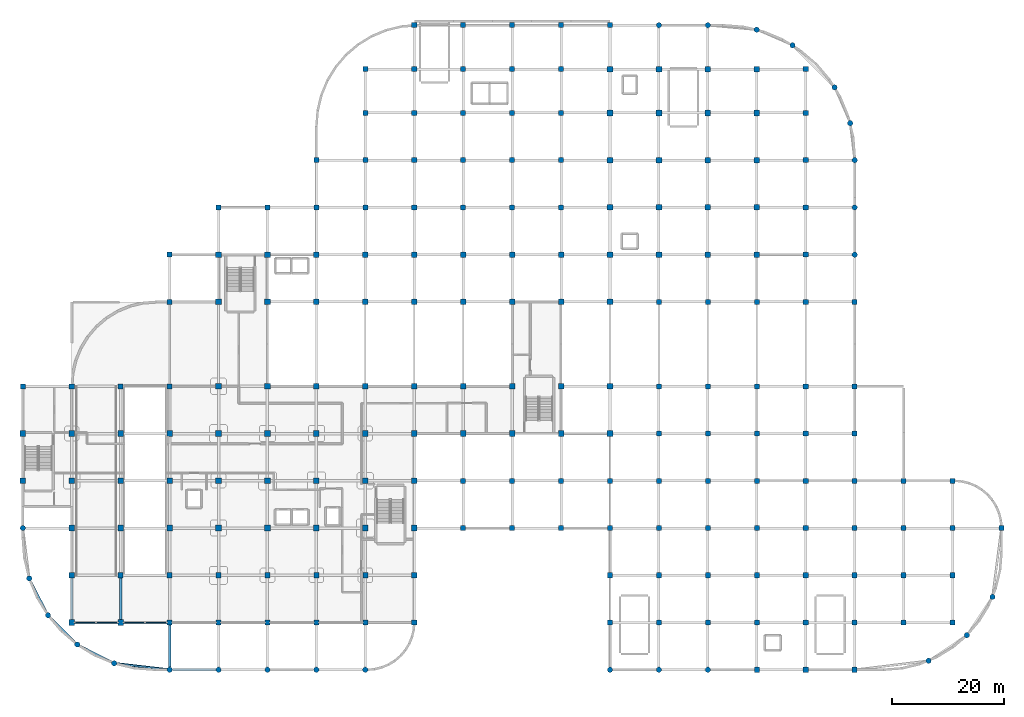
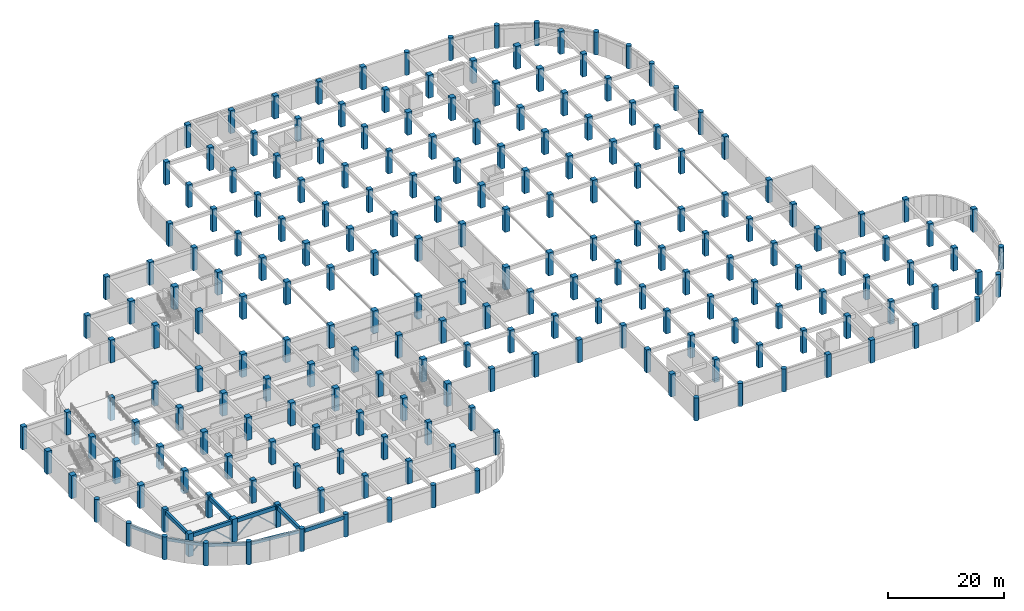
# One storey, part 1 of 19: 214 columns, 10 beams, 4 members.
"""IFC4 building model written with IfcOpenShell, lengths in metres."""

import ifcopenshell
import ifcopenshell.guid

model = None  # the IFC model being written
_history = None  # IfcOwnerHistory: only IFC2X3 demands one
_inside = {}  # id of a spatial element -> (the spatial element, [elements in it])
_under = {}  # id of a project, library or spatial element -> (it, [spatial elements below it])
_declared = {}  # id of a project -> (the project, [libraries it declares])
_typed = {}  # id of a type object -> (the type object, [elements of that type])
_made_of = {}  # id of a material, layer set ... -> (it, [elements and type objects made of it])


def new_model(schema):
    """Start an empty IFC model of exactly this schema.

    Asked for "IFC4X3", IfcOpenShell would pick the latest addendum, in which some entities
    have other attributes; the version numbers below select the first issue.
    IFC2X3 requires an IfcOwnerHistory on every rooted entity: one is made here for all.
    """
    global model, _history
    if schema == "IFC4X3":
        model = ifcopenshell.file(schema_version=(4, 3, 0, 0))
    else:
        model = ifcopenshell.file(schema=schema)
    _inside.clear()
    _under.clear()
    _declared.clear()
    _typed.clear()
    _made_of.clear()
    _history = None
    if model.schema == "IFC2X3":
        org = make("IfcOrganization", Name="unknown")
        user = make(
            "IfcPersonAndOrganization",
            ThePerson=make("IfcPerson", FamilyName="unknown"),
            TheOrganization=org,
        )
        app = make(
            "IfcApplication",
            ApplicationDeveloper=org,
            Version="unknown",
            ApplicationFullName="unknown",
            ApplicationIdentifier="unknown",
        )
        _history = make(
            "IfcOwnerHistory",
            OwningUser=user,
            OwningApplication=app,
            ChangeAction="ADDED",
            CreationDate=0,
        )
    return model


def make(cls, **values):
    """One entity of the class cls with the attributes given. An attribute that is None is left unset."""
    return model.create_entity(
        cls, **{name: value for name, value in values.items() if value is not None}
    )


def rooted(cls, **values):
    """An entity with a GlobalId (a new one), such as an element, a storey or a relation."""
    return make(cls, GlobalId=ifcopenshell.guid.new(), OwnerHistory=_history, **values)


def si_unit(unit_type, name, prefix=None):
    """IfcSIUnit, for example si_unit("LENGTHUNIT", "METRE", prefix="MILLI")."""
    return make("IfcSIUnit", UnitType=unit_type, Prefix=prefix, Name=name)


def derived_unit(unit_type, elements):
    """IfcDerivedUnit: a product of units, each with its exponent."""
    return make(
        "IfcDerivedUnit",
        Elements=[
            make("IfcDerivedUnitElement", Unit=unit, Exponent=power)
            for unit, power in elements
        ],
        UnitType=unit_type,
    )


def assignment(units):
    """IfcUnitAssignment: the units of a project."""
    return None if units is None else make("IfcUnitAssignment", Units=units)


def point(xyz):
    """IfcCartesianPoint."""
    return None if xyz is None else make("IfcCartesianPoint", Coordinates=xyz)


def direction(xyz):
    """IfcDirection."""
    return None if xyz is None else make("IfcDirection", DirectionRatios=xyz)


def frame(location, z_axis=None, x_axis=None):
    """IfcAxis2Placement3D, a coordinate frame: its origin and axes. An axis left out is left unset."""
    return make(
        "IfcAxis2Placement3D",
        Location=point(location),
        Axis=direction(z_axis),
        RefDirection=direction(x_axis),
    )


def frame_2d(location, x_axis=None):
    """IfcAxis2Placement2D, a coordinate frame in the plane: its origin and x axis."""
    return make(
        "IfcAxis2Placement2D", Location=point(location), RefDirection=direction(x_axis)
    )


def origin():
    """The frame at (0, 0, 0) with its axes left unset."""
    return frame((0.0, 0.0, 0.0))


def origin_2d():
    """The frame at (0, 0) in the plane with its x axis left unset."""
    return frame_2d((0.0, 0.0))


def place(relative_to, where):
    """IfcLocalPlacement: puts the frame where relative to a parent placement (None: the world)."""
    return make(
        "IfcLocalPlacement", PlacementRelTo=relative_to, RelativePlacement=where
    )


def context(
    kind, dimensions, precision=None, world=None, true_north=None, identifier=None
):
    """IfcGeometricRepresentationContext, for example the 3D "Model" context."""
    return make(
        "IfcGeometricRepresentationContext",
        ContextIdentifier=identifier,
        ContextType=kind,
        CoordinateSpaceDimension=dimensions,
        Precision=precision,
        WorldCoordinateSystem=world,
        TrueNorth=true_north,
    )


def subcontext(parent, identifier, kind, view, scale=None):
    """IfcGeometricRepresentationSubContext, for example "Body" below "Model"."""
    return make(
        "IfcGeometricRepresentationSubContext",
        ContextIdentifier=identifier,
        ContextType=kind,
        ParentContext=parent,
        TargetScale=scale,
        TargetView=view,
    )


def project(units=None, contexts=None):
    """IfcProject with its units and contexts."""
    return rooted(
        "IfcProject",
        Name="project",
        RepresentationContexts=contexts,
        UnitsInContext=assignment(units),
    )


def spatial(cls, under=None, at=None, **own):
    """A site, building, storey or space (cls), placed at a placement, below another one or the project."""
    s = rooted(cls, ObjectPlacement=at, **own)
    if under is not None:
        _under.setdefault(under.id(), (under, []))[1].append(s)
    return s


def profile(cls, at=None, kind="AREA", **sizes):
    """A parametric profile (cls). Its sizes go by their IFC names, for example OverallWidth=200.0."""
    return make(cls, ProfileType=kind, Position=at, **sizes)


def rectangle(**sizes):
    """IfcRectangleProfileDef."""
    return profile("IfcRectangleProfileDef", **sizes)


def hollow_rectangle(**sizes):
    """IfcRectangleHollowProfileDef."""
    return profile("IfcRectangleHollowProfileDef", **sizes)


def circle(**sizes):
    """IfcCircleProfileDef."""
    return profile("IfcCircleProfileDef", **sizes)


def extrude(swept, where, along, depth):
    """IfcExtrudedAreaSolid: the profile swept, set in the frame where, extruded along a direction by depth."""
    return make(
        "IfcExtrudedAreaSolid",
        SweptArea=swept,
        Position=where,
        ExtrudedDirection=direction(along),
        Depth=depth,
    )


def shape(context_of_items, identifier, shape_type, items):
    """IfcShapeRepresentation: the items that make up one representation, for example the "Body"."""
    return make(
        "IfcShapeRepresentation",
        ContextOfItems=context_of_items,
        RepresentationIdentifier=identifier,
        RepresentationType=shape_type,
        Items=items,
    )


def material(Name=None, Category=None):
    """IfcMaterial."""
    return make("IfcMaterial", Name=Name, Category=Category)


def material_profile(
    of_material, cross_section, Name=None, Category=None, Priority=None
):
    """IfcMaterialProfile: a cross section and its material."""
    return make(
        "IfcMaterialProfile",
        Name=Name,
        Material=of_material,
        Profile=cross_section,
        Priority=Priority,
        Category=Category,
    )


def profile_set(profiles, Name=None, composite=None):
    """IfcMaterialProfileSet."""
    return make(
        "IfcMaterialProfileSet",
        Name=Name,
        MaterialProfiles=profiles,
        CompositeProfile=composite,
    )


def made_of(thing, what):
    """Note that an element or type object is made of a material, layer set ...; save() writes the relation."""
    if what is not None:
        _made_of.setdefault(what.id(), (what, []))[1].append(thing)
    return thing


def type_object(cls, material=None, **own):
    """A type object (cls), such as IfcWallType, which elements share."""
    return made_of(rooted(cls, **own), material)


def element(
    cls,
    number,
    at=None,
    inside=None,
    cuts=None,
    type_object=None,
    material=None,
    context=None,
    identifier="Body",
    shape_type=None,
    held_by="IfcProductDefinitionShape",
    body=None,
    shapes=None,
    **own,
):
    """One element of the class cls, such as IfcWall. Its Tag is "e" and its number.

    at: its placement. inside: the storey or other place that contains it. cuts: it is an
    opening in that element (IfcRelVoidsElement). A single representation is given by context,
    identifier, shape_type and body (its items); several are given by shapes. held_by: the class
    of the entity that holds the representations. save() writes the other relations.
    """
    e = rooted(cls, Tag="e%d" % number, ObjectPlacement=at, **own)
    if body is not None:
        shapes = [shape(context, identifier, shape_type, body)]
    if shapes is not None:
        e.Representation = make(held_by, Representations=shapes)
    if inside is not None:
        _inside.setdefault(inside.id(), (inside, []))[1].append(e)
    if cuts is not None:
        rooted(
            "IfcRelVoidsElement", RelatingBuildingElement=cuts, RelatedOpeningElement=e
        )
    if type_object is not None:
        _typed.setdefault(type_object.id(), (type_object, []))[1].append(e)
    return made_of(e, material)


def aggregate(whole, parts):
    """IfcRelAggregates: a whole, such as a stair, and the parts it consists of."""
    return rooted("IfcRelAggregates", RelatingObject=whole, RelatedObjects=parts)


def save(model, path):
    """Write the relations noted so far, then the file.

    IfcRelAggregates (storeys below a building ...), IfcRelContainedInSpatialStructure (elements
    in a storey), IfcRelDefinesByType, IfcRelAssociatesMaterial and IfcRelDeclares: one each for
    every whole, place, type object, material and project.
    """
    for whole, parts in _under.values():
        aggregate(whole, parts)
    for where, things in _inside.values():
        rooted(
            "IfcRelContainedInSpatialStructure",
            RelatedElements=things,
            RelatingStructure=where,
        )
    for kind, things in _typed.values():
        rooted("IfcRelDefinesByType", RelatedObjects=things, RelatingType=kind)
    for what, things in _made_of.values():
        rooted("IfcRelAssociatesMaterial", RelatedObjects=things, RelatingMaterial=what)
    for by, libraries in _declared.values():
        rooted("IfcRelDeclares", RelatingContext=by, RelatedDefinitions=libraries)
    model.write(path)


model = new_model("IFC4")

# Units and contexts
model_context = context("Model", 3, precision=1e-05, world=origin(), true_north=direction((0.0, 1.0)))
body_context = subcontext(model_context, "Body", "Model", "MODEL_VIEW")
ifc_project = project(units=[si_unit("LENGTHUNIT", "METRE"), si_unit("AREAUNIT", "SQUARE_METRE"), si_unit("VOLUMEUNIT", "CUBIC_METRE"), si_unit("PLANEANGLEUNIT", "RADIAN"), si_unit("MASSUNIT", "GRAM", prefix="KILO"), derived_unit("THERMALTRANSMITTANCEUNIT", [(si_unit("MASSUNIT", "GRAM", prefix="KILO"), 1), (si_unit("TIMEUNIT", "SECOND"), -3), (si_unit("THERMODYNAMICTEMPERATUREUNIT", "KELVIN"), -1)])], contexts=[model_context])

# Site, building, storey
site_placement = place(None, origin())
site = spatial("IfcSite", under=ifc_project, at=site_placement, CompositionType="ELEMENT")
building_placement = place(site_placement, origin())
building = spatial("IfcBuilding", under=site, at=building_placement, Name="Qinzheling Arcade Emporium", CompositionType="ELEMENT")
storey_placement = place(building_placement, frame((0.0, 0.0, -4.800048828125)))
storey = spatial("IfcBuildingStorey", under=building, at=storey_placement, Name="B1", CompositionType="ELEMENT", Elevation=-4.800048828125)

# Columns
ifc_material_1 = material(Name="Concrete C50", Category="concrete")
ifc_material_profile_1 = material_profile(ifc_material_1, circle(Radius=0.47509765625, at=origin_2d()), Name="RC D950", Category="concrete")
ifc_profile_set_1 = profile_set([ifc_material_profile_1], Name="Concrete C50")
column_type_1 = type_object("IfcColumnType", Name="Arcade Pier Column D950 C50", PredefinedType="PILASTER", material=ifc_profile_set_1)
for number, where, z_axis, x_axis, name in (
    (1, (0.0, 25.199951171875, 0.0), (0.0, 0.0, 1.0), (1.0, 0.0, 0.0), "Column COL-B1-1-D"),
    (2, (26.10009765625, 0.0, 0.0), (0.0, 0.0, 1.0), (1.0, 0.0, 0.0), "Column COL-B1-4-A"),
    (3, (34.800048828125, 0.0, 0.0), (0.0, 0.0, 1.0), (1.0, 0.0, 0.0), "Column COL-B1-5-A"),
    (4, (43.5, 0.0, 0.0), (0.0, 0.0, 1.0), (1.0, 0.0, 0.0), "Column COL-B1-6-A"),
    (5, (52.199951171875, 0.0, 0.0), (0.0, 0.0, 1.0), (1.0, 0.0, 0.0), "Column COL-B1-7-A"),
    (6, (60.89990234375, 0.0, 0.0), (0.0, 0.0, 1.0), (1.0, 0.0, 0.0), "Column COL-B1-8-A"),
    (7, (104.39990234375, 0.0, 0.0), (0.0, 0.0, 1.0), (1.0, 0.0, 0.0), "Column COL-B1-13-A"),
    (8, (113.10009765625, 0.0, 0.0), (0.0, 0.0, 1.0), (1.0, 0.0, 0.0), "Column COL-B1-14-A"),
    (9, (113.10009765625, 114.60009765625, 0.0), (0.0, 0.0, 1.0), (1.0, 0.0, 0.0), "Column COL-B1-14-P"),
    (10, (121.800048828125, 0.0, 0.0), (0.0, 0.0, 1.0), (1.0, 0.0, 0.0), "Column COL-B1-15-A"),
    (11, (121.800048828125, 114.60009765625, 0.0), (0.0, 0.0, 1.0), (1.0, 0.0, 0.0), "Column COL-B1-15-P"),
    (12, (147.89990234375, 73.800048828125, 0.0), (0.0, 0.0, 1.0), (1.0, 0.0, 0.0), "Column COL-B1-18-J"),
    (13, (147.89990234375, 82.199951171875, 0.0), (0.0, 0.0, 1.0), (1.0, 0.0, 0.0), "Column COL-B1-18-K"),
    (14, (147.89990234375, 90.60009765625, 0.0), (0.0, 0.0, 1.0), (1.0, 0.0, 0.0), "Column COL-B1-18-L"),
    (15, (1.14990234375, 16.238037109375, 0.0), (0.0, 0.0, 1.0), (1.0, 0.0, 0.0), "Curved Arcade Pier COL-B1-CV1-P01"),
    (16, (4.488037109375, 9.68701171875, 0.0), (0.0, 0.0, 1.0), (1.0, 0.0, 0.0), "Curved Arcade Pier COL-B1-CV1-P02"),
    (17, (9.68701171875, 4.488037109375, 0.0), (0.0, 0.0, 1.0), (1.0, 0.0, 0.0), "Curved Arcade Pier COL-B1-CV1-P03"),
    (18, (16.238037109375, 1.14990234375, 0.0), (0.0, 0.0, 1.0), (1.0, 0.0, 0.0), "Curved Arcade Pier COL-B1-CV1-P04"),
    (19, (161.035888671875, 1.59912109375, 0.0), (0.0, 0.0, 1.0), (1.0, 0.0, 0.0), "Curved Arcade Pier COL-B1-CV4-P01"),
    (20, (167.84912109375, 6.15087890625, 0.0), (0.0, 0.0, 1.0), (1.0, 0.0, 0.0), "Curved Arcade Pier COL-B1-CV4-P02"),
    (21, (172.40087890625, 12.964111328125, 0.0), (0.0, 0.0, 1.0), (1.0, 0.0, 0.0), "Curved Arcade Pier COL-B1-CV4-P03"),
    (22, (147.09912109375, 97.181884765625, 0.0), (0.0, 0.0, 1.0), (1.0, 0.0, 0.0), "Curved Arcade Pier COL-B1-CV6-P01"),
    (23, (144.3291015625, 103.552978515625, 0.0), (0.0, 0.0, 1.0), (1.0, 0.0, 0.0), "Curved Arcade Pier COL-B1-CV6-P02"),
    (24, (136.85302734375, 111.029052734375, 0.0), (0.0, 0.0, 1.0), (1.0, 0.0, 0.0), "Curved Arcade Pier COL-B1-CV6-P03"),
    (25, (130.48193359375, 113.799072265625, 0.0), (0.0, 0.0, 1.0), (1.0, 0.0, 0.0), "Curved Arcade Pier COL-B1-CV6-P04"),
):
    element("IfcColumn", number, at=place(storey_placement, frame(where, z_axis=z_axis, x_axis=x_axis)), inside=storey, type_object=column_type_1, Name=name, PredefinedType="PILASTER", context=body_context, shape_type="SweptSolid", body=[
        extrude(circle(Radius=0.47509765625, at=origin_2d()), origin(), (0.0, 0.0, 1.0), 4.800048828125),
    ])
ifc_material_profile_2 = material_profile(ifc_material_1, rectangle(XDim=1.0, YDim=1.0, at=origin_2d()), Name="RC 1000x1000", Category="concrete")
ifc_profile_set_2 = profile_set([ifc_material_profile_2], Name="Concrete C50")
column_type_2 = type_object("IfcColumnType", Name="RC Column 1000x1000 C50", PredefinedType="COLUMN", material=ifc_profile_set_2)
for number, where, z_axis, x_axis, name in (
    (26, (0.0, 33.60009765625, 0.0), (0.0, 0.0, 1.0), (1.0, 0.0, 0.0), "Column COL-B1-1-E"),
    (27, (0.0, 42.0, 0.0), (0.0, 0.0, 1.0), (1.0, 0.0, 0.0), "Column COL-B1-1-F"),
    (28, (8.699951171875, 8.39990234375, 0.0), (0.0, 0.0, 1.0), (1.0, 0.0, 0.0), "Column COL-B1-2-B"),
    (29, (8.699951171875, 25.199951171875, 0.0), (0.0, 0.0, 1.0), (1.0, 0.0, 0.0), "Column COL-B1-2-D"),
    (30, (8.699951171875, 33.60009765625, 0.0), (0.0, 0.0, 1.0), (1.0, 0.0, 0.0), "Column COL-B1-2-E"),
    (31, (8.699951171875, 42.0, 0.0), (0.0, 0.0, 1.0), (1.0, 0.0, 0.0), "Column COL-B1-2-F"),
    (32, (17.39990234375, 8.39990234375, 0.0), (0.0, 0.0, 1.0), (1.0, 0.0, 0.0), "Column COL-B1-3-B"),
    (33, (17.39990234375, 25.199951171875, 0.0), (0.0, 0.0, 1.0), (1.0, 0.0, 0.0), "Column COL-B1-3-D"),
    (34, (17.39990234375, 33.60009765625, 0.0), (0.0, 0.0, 1.0), (1.0, 0.0, 0.0), "Column COL-B1-3-E"),
    (35, (17.39990234375, 42.0, 0.0), (0.0, 0.0, 1.0), (1.0, 0.0, 0.0), "Column COL-B1-3-F"),
    (36, (26.10009765625, 25.199951171875, 0.0), (0.0, 0.0, 1.0), (1.0, 0.0, 0.0), "Column COL-B1-4-D"),
    (37, (26.10009765625, 33.60009765625, 0.0), (0.0, 0.0, 1.0), (1.0, 0.0, 0.0), "Column COL-B1-4-E"),
    (38, (26.10009765625, 42.0, 0.0), (0.0, 0.0, 1.0), (1.0, 0.0, 0.0), "Column COL-B1-4-F"),
    (39, (34.800048828125, 25.199951171875, 0.0), (0.0, 0.0, 1.0), (1.0, 0.0, 0.0), "Column COL-B1-5-D"),
    (40, (34.800048828125, 33.60009765625, 0.0), (0.0, 0.0, 1.0), (1.0, 0.0, 0.0), "Column COL-B1-5-E"),
    (41, (34.800048828125, 42.0, 0.0), (0.0, 0.0, 1.0), (1.0, 0.0, 0.0), "Column COL-B1-5-F"),
    (42, (34.800048828125, 50.39990234375, 0.0), (0.0, 0.0, 1.0), (1.0, 0.0, 0.0), "Column COL-B1-5-G"),
    (43, (34.800048828125, 65.39990234375, 0.0), (0.0, 0.0, 1.0), (1.0, 0.0, 0.0), "Column COL-B1-5-H"),
    (44, (34.800048828125, 73.800048828125, 0.0), (0.0, 0.0, 1.0), (1.0, 0.0, 0.0), "Column COL-B1-5-J"),
    (45, (43.5, 25.199951171875, 0.0), (0.0, 0.0, 1.0), (1.0, 0.0, 0.0), "Column COL-B1-6-D"),
    (46, (43.5, 33.60009765625, 0.0), (0.0, 0.0, 1.0), (1.0, 0.0, 0.0), "Column COL-B1-6-E"),
    (47, (43.5, 42.0, 0.0), (0.0, 0.0, 1.0), (1.0, 0.0, 0.0), "Column COL-B1-6-F"),
    (48, (43.5, 50.39990234375, 0.0), (0.0, 0.0, 1.0), (1.0, 0.0, 0.0), "Column COL-B1-6-G"),
    (49, (43.5, 65.39990234375, 0.0), (0.0, 0.0, 1.0), (1.0, 0.0, 0.0), "Column COL-B1-6-H"),
    (50, (43.5, 73.800048828125, 0.0), (0.0, 0.0, 1.0), (1.0, 0.0, 0.0), "Column COL-B1-6-J"),
    (51, (52.199951171875, 25.199951171875, 0.0), (0.0, 0.0, 1.0), (1.0, 0.0, 0.0), "Column COL-B1-7-D"),
    (52, (52.199951171875, 33.60009765625, 0.0), (0.0, 0.0, 1.0), (1.0, 0.0, 0.0), "Column COL-B1-7-E"),
    (53, (52.199951171875, 42.0, 0.0), (0.0, 0.0, 1.0), (1.0, 0.0, 0.0), "Column COL-B1-7-F"),
    (54, (52.199951171875, 50.39990234375, 0.0), (0.0, 0.0, 1.0), (1.0, 0.0, 0.0), "Column COL-B1-7-G"),
    (55, (52.199951171875, 65.39990234375, 0.0), (0.0, 0.0, 1.0), (1.0, 0.0, 0.0), "Column COL-B1-7-H"),
    (56, (52.199951171875, 73.800048828125, 0.0), (0.0, 0.0, 1.0), (1.0, 0.0, 0.0), "Column COL-B1-7-J"),
    (57, (60.89990234375, 25.199951171875, 0.0), (0.0, 0.0, 1.0), (1.0, 0.0, 0.0), "Column COL-B1-8-D"),
    (58, (60.89990234375, 33.60009765625, 0.0), (0.0, 0.0, 1.0), (1.0, 0.0, 0.0), "Column COL-B1-8-E"),
    (59, (60.89990234375, 42.0, 0.0), (0.0, 0.0, 1.0), (1.0, 0.0, 0.0), "Column COL-B1-8-F"),
    (60, (60.89990234375, 50.39990234375, 0.0), (0.0, 0.0, 1.0), (1.0, 0.0, 0.0), "Column COL-B1-8-G"),
    (61, (60.89990234375, 65.39990234375, 0.0), (0.0, 0.0, 1.0), (1.0, 0.0, 0.0), "Column COL-B1-8-H"),
    (62, (60.89990234375, 73.800048828125, 0.0), (0.0, 0.0, 1.0), (1.0, 0.0, 0.0), "Column COL-B1-8-J"),
    (63, (69.60009765625, 25.199951171875, 0.0), (0.0, 0.0, 1.0), (1.0, 0.0, 0.0), "Column COL-B1-9-D"),
    (64, (69.60009765625, 33.60009765625, 0.0), (0.0, 0.0, 1.0), (1.0, 0.0, 0.0), "Column COL-B1-9-E"),
    (65, (69.60009765625, 42.0, 0.0), (0.0, 0.0, 1.0), (1.0, 0.0, 0.0), "Column COL-B1-9-F"),
    (66, (69.60009765625, 50.39990234375, 0.0), (0.0, 0.0, 1.0), (1.0, 0.0, 0.0), "Column COL-B1-9-G"),
    (67, (69.60009765625, 65.39990234375, 0.0), (0.0, 0.0, 1.0), (1.0, 0.0, 0.0), "Column COL-B1-9-H"),
    (68, (69.60009765625, 73.800048828125, 0.0), (0.0, 0.0, 1.0), (1.0, 0.0, 0.0), "Column COL-B1-9-J"),
    (69, (78.300048828125, 42.0, 0.0), (0.0, 0.0, 1.0), (1.0, 0.0, 0.0), "Column COL-B1-10-F"),
    (70, (78.300048828125, 50.39990234375, 0.0), (0.0, 0.0, 1.0), (1.0, 0.0, 0.0), "Column COL-B1-10-G"),
    (71, (78.300048828125, 65.39990234375, 0.0), (0.0, 0.0, 1.0), (1.0, 0.0, 0.0), "Column COL-B1-10-H"),
    (72, (78.300048828125, 73.800048828125, 0.0), (0.0, 0.0, 1.0), (1.0, 0.0, 0.0), "Column COL-B1-10-J"),
    (73, (87.0, 42.0, 0.0), (0.0, 0.0, 1.0), (1.0, 0.0, 0.0), "Column COL-B1-11-F"),
    (74, (87.0, 50.39990234375, 0.0), (0.0, 0.0, 1.0), (1.0, 0.0, 0.0), "Column COL-B1-11-G"),
    (75, (87.0, 65.39990234375, 0.0), (0.0, 0.0, 1.0), (1.0, 0.0, 0.0), "Column COL-B1-11-H"),
    (76, (87.0, 73.800048828125, 0.0), (0.0, 0.0, 1.0), (1.0, 0.0, 0.0), "Column COL-B1-11-J"),
    (77, (95.699951171875, 42.0, 0.0), (0.0, 0.0, 1.0), (1.0, 0.0, 0.0), "Column COL-B1-12-F"),
    (78, (95.699951171875, 50.39990234375, 0.0), (0.0, 0.0, 1.0), (1.0, 0.0, 0.0), "Column COL-B1-12-G"),
    (79, (95.699951171875, 65.39990234375, 0.0), (0.0, 0.0, 1.0), (1.0, 0.0, 0.0), "Column COL-B1-12-H"),
    (80, (95.699951171875, 73.800048828125, 0.0), (0.0, 0.0, 1.0), (1.0, 0.0, 0.0), "Column COL-B1-12-J"),
    (81, (104.39990234375, 42.0, 0.0), (0.0, 0.0, 1.0), (1.0, 0.0, 0.0), "Column COL-B1-13-F"),
    (82, (104.39990234375, 50.39990234375, 0.0), (0.0, 0.0, 1.0), (1.0, 0.0, 0.0), "Column COL-B1-13-G"),
    (83, (104.39990234375, 65.39990234375, 0.0), (0.0, 0.0, 1.0), (1.0, 0.0, 0.0), "Column COL-B1-13-H"),
    (84, (104.39990234375, 73.800048828125, 0.0), (0.0, 0.0, 1.0), (1.0, 0.0, 0.0), "Column COL-B1-13-J"),
    (85, (104.39990234375, 82.199951171875, 0.0), (0.0, 0.0, 1.0), (1.0, 0.0, 0.0), "Column COL-B1-13-K"),
    (86, (104.39990234375, 90.60009765625, 0.0), (0.0, 0.0, 1.0), (1.0, 0.0, 0.0), "Column COL-B1-13-L"),
    (87, (104.39990234375, 99.0, 0.0), (0.0, 0.0, 1.0), (1.0, 0.0, 0.0), "Column COL-B1-13-M"),
    (88, (104.39990234375, 106.800048828125, 0.0), (0.0, 0.0, 1.0), (1.0, 0.0, 0.0), "Column COL-B1-13-N"),
    (89, (113.10009765625, 73.800048828125, 0.0), (0.0, 0.0, 1.0), (1.0, 0.0, 0.0), "Column COL-B1-14-J"),
    (90, (113.10009765625, 82.199951171875, 0.0), (0.0, 0.0, 1.0), (1.0, 0.0, 0.0), "Column COL-B1-14-K"),
    (91, (113.10009765625, 90.60009765625, 0.0), (0.0, 0.0, 1.0), (1.0, 0.0, 0.0), "Column COL-B1-14-L"),
    (92, (113.10009765625, 99.0, 0.0), (0.0, 0.0, 1.0), (1.0, 0.0, 0.0), "Column COL-B1-14-M"),
    (93, (113.10009765625, 106.800048828125, 0.0), (0.0, 0.0, 1.0), (1.0, 0.0, 0.0), "Column COL-B1-14-N"),
    (94, (121.800048828125, 73.800048828125, 0.0), (0.0, 0.0, 1.0), (1.0, 0.0, 0.0), "Column COL-B1-15-J"),
    (95, (121.800048828125, 82.199951171875, 0.0), (0.0, 0.0, 1.0), (1.0, 0.0, 0.0), "Column COL-B1-15-K"),
    (96, (121.800048828125, 90.60009765625, 0.0), (0.0, 0.0, 1.0), (1.0, 0.0, 0.0), "Column COL-B1-15-L"),
    (97, (121.800048828125, 99.0, 0.0), (0.0, 0.0, 1.0), (1.0, 0.0, 0.0), "Column COL-B1-15-M"),
    (98, (121.800048828125, 106.800048828125, 0.0), (0.0, 0.0, 1.0), (1.0, 0.0, 0.0), "Column COL-B1-15-N"),
    (99, (130.5, 73.800048828125, 0.0), (0.0, 0.0, 1.0), (1.0, 0.0, 0.0), "Column COL-B1-16-J"),
    (100, (130.5, 82.199951171875, 0.0), (0.0, 0.0, 1.0), (1.0, 0.0, 0.0), "Column COL-B1-16-K"),
    (101, (130.5, 90.60009765625, 0.0), (0.0, 0.0, 1.0), (1.0, 0.0, 0.0), "Column COL-B1-16-L"),
    (102, (130.5, 99.0, 0.0), (0.0, 0.0, 1.0), (1.0, 0.0, 0.0), "Column COL-B1-16-M"),
    (103, (130.5, 106.800048828125, 0.0), (0.0, 0.0, 1.0), (1.0, 0.0, 0.0), "Column COL-B1-16-N"),
):
    element("IfcColumn", number, at=place(storey_placement, frame(where, z_axis=z_axis, x_axis=x_axis)), inside=storey, type_object=column_type_2, Name=name, PredefinedType="COLUMN", context=body_context, shape_type="SweptSolid", body=[
        extrude(rectangle(XDim=1.0, YDim=1.0, at=origin_2d()), origin(), (0.0, 0.0, 1.0), 4.800048828125),
    ])
ifc_material_profile_3 = material_profile(ifc_material_1, rectangle(XDim=0.89990234375, YDim=0.89990234375, at=origin_2d()), Name="RC 900x900", Category="concrete")
ifc_profile_set_3 = profile_set([ifc_material_profile_3], Name="Concrete C50")
column_type_3 = type_object("IfcColumnType", Name="RC Column 900x900 C50", PredefinedType="COLUMN", material=ifc_profile_set_3)
for number, where, z_axis, x_axis, name in (
    (104, (0.0, 50.39990234375, 0.0), (0.0, 0.0, 1.0), (1.0, 0.0, 0.0), "Column COL-B1-1-G"),
    (105, (8.699951171875, 16.800048828125, 0.0), (0.0, 0.0, 1.0), (1.0, 0.0, 0.0), "Column COL-B1-2-C"),
    (106, (8.699951171875, 50.39990234375, 0.0), (0.0, 0.0, 1.0), (1.0, 0.0, 0.0), "Column COL-B1-2-G"),
    (107, (17.39990234375, 16.800048828125, 0.0), (0.0, 0.0, 1.0), (1.0, 0.0, 0.0), "Column COL-B1-3-C"),
    (108, (17.39990234375, 50.39990234375, 0.0), (0.0, 0.0, 1.0), (1.0, 0.0, 0.0), "Column COL-B1-3-G"),
    (109, (26.10009765625, 8.39990234375, 0.0), (0.0, 0.0, 1.0), (1.0, 0.0, 0.0), "Column COL-B1-4-B"),
    (110, (26.10009765625, 16.800048828125, 0.0), (0.0, 0.0, 1.0), (1.0, 0.0, 0.0), "Column COL-B1-4-C"),
    (111, (26.10009765625, 50.39990234375, 0.0), (0.0, 0.0, 1.0), (1.0, 0.0, 0.0), "Column COL-B1-4-G"),
    (112, (26.10009765625, 65.39990234375, 0.0), (0.0, 0.0, 1.0), (1.0, 0.0, 0.0), "Column COL-B1-4-H"),
    (113, (26.10009765625, 73.800048828125, 0.0), (0.0, 0.0, 1.0), (1.0, 0.0, 0.0), "Column COL-B1-4-J"),
    (114, (34.800048828125, 8.39990234375, 0.0), (0.0, 0.0, 1.0), (1.0, 0.0, 0.0), "Column COL-B1-5-B"),
    (115, (34.800048828125, 16.800048828125, 0.0), (0.0, 0.0, 1.0), (1.0, 0.0, 0.0), "Column COL-B1-5-C"),
    (116, (34.800048828125, 82.199951171875, 0.0), (0.0, 0.0, 1.0), (1.0, 0.0, 0.0), "Column COL-B1-5-K"),
    (117, (43.5, 8.39990234375, 0.0), (0.0, 0.0, 1.0), (1.0, 0.0, 0.0), "Column COL-B1-6-B"),
    (118, (43.5, 16.800048828125, 0.0), (0.0, 0.0, 1.0), (1.0, 0.0, 0.0), "Column COL-B1-6-C"),
    (119, (43.5, 82.199951171875, 0.0), (0.0, 0.0, 1.0), (1.0, 0.0, 0.0), "Column COL-B1-6-K"),
    (120, (52.199951171875, 8.39990234375, 0.0), (0.0, 0.0, 1.0), (1.0, 0.0, 0.0), "Column COL-B1-7-B"),
    (121, (52.199951171875, 16.800048828125, 0.0), (0.0, 0.0, 1.0), (1.0, 0.0, 0.0), "Column COL-B1-7-C"),
    (122, (52.199951171875, 82.199951171875, 0.0), (0.0, 0.0, 1.0), (1.0, 0.0, 0.0), "Column COL-B1-7-K"),
    (123, (52.199951171875, 90.60009765625, 0.0), (0.0, 0.0, 1.0), (1.0, 0.0, 0.0), "Column COL-B1-7-L"),
    (124, (60.89990234375, 8.39990234375, 0.0), (0.0, 0.0, 1.0), (1.0, 0.0, 0.0), "Column COL-B1-8-B"),
    (125, (60.89990234375, 16.800048828125, 0.0), (0.0, 0.0, 1.0), (1.0, 0.0, 0.0), "Column COL-B1-8-C"),
    (126, (60.89990234375, 82.199951171875, 0.0), (0.0, 0.0, 1.0), (1.0, 0.0, 0.0), "Column COL-B1-8-K"),
    (127, (60.89990234375, 90.60009765625, 0.0), (0.0, 0.0, 1.0), (1.0, 0.0, 0.0), "Column COL-B1-8-L"),
    (128, (60.89990234375, 99.0, 0.0), (0.0, 0.0, 1.0), (1.0, 0.0, 0.0), "Column COL-B1-8-M"),
    (129, (60.89990234375, 106.800048828125, 0.0), (0.0, 0.0, 1.0), (1.0, 0.0, 0.0), "Column COL-B1-8-N"),
    (130, (69.60009765625, 8.39990234375, 0.0), (0.0, 0.0, 1.0), (1.0, 0.0, 0.0), "Column COL-B1-9-B"),
    (131, (69.60009765625, 16.800048828125, 0.0), (0.0, 0.0, 1.0), (1.0, 0.0, 0.0), "Column COL-B1-9-C"),
    (132, (69.60009765625, 82.199951171875, 0.0), (0.0, 0.0, 1.0), (1.0, 0.0, 0.0), "Column COL-B1-9-K"),
    (133, (69.60009765625, 90.60009765625, 0.0), (0.0, 0.0, 1.0), (1.0, 0.0, 0.0), "Column COL-B1-9-L"),
    (134, (69.60009765625, 99.0, 0.0), (0.0, 0.0, 1.0), (1.0, 0.0, 0.0), "Column COL-B1-9-M"),
    (135, (69.60009765625, 106.800048828125, 0.0), (0.0, 0.0, 1.0), (1.0, 0.0, 0.0), "Column COL-B1-9-N"),
    (136, (69.60009765625, 114.60009765625, 0.0), (0.0, 0.0, 1.0), (1.0, 0.0, 0.0), "Column COL-B1-9-P"),
    (137, (78.300048828125, 25.199951171875, 0.0), (0.0, 0.0, 1.0), (1.0, 0.0, 0.0), "Column COL-B1-10-D"),
    (138, (78.300048828125, 33.60009765625, 0.0), (0.0, 0.0, 1.0), (1.0, 0.0, 0.0), "Column COL-B1-10-E"),
    (139, (78.300048828125, 82.199951171875, 0.0), (0.0, 0.0, 1.0), (1.0, 0.0, 0.0), "Column COL-B1-10-K"),
    (140, (78.300048828125, 90.60009765625, 0.0), (0.0, 0.0, 1.0), (1.0, 0.0, 0.0), "Column COL-B1-10-L"),
    (141, (78.300048828125, 99.0, 0.0), (0.0, 0.0, 1.0), (1.0, 0.0, 0.0), "Column COL-B1-10-M"),
    (142, (78.300048828125, 106.800048828125, 0.0), (0.0, 0.0, 1.0), (1.0, 0.0, 0.0), "Column COL-B1-10-N"),
    (143, (78.300048828125, 114.60009765625, 0.0), (0.0, 0.0, 1.0), (1.0, 0.0, 0.0), "Column COL-B1-10-P"),
    (144, (87.0, 25.199951171875, 0.0), (0.0, 0.0, 1.0), (1.0, 0.0, 0.0), "Column COL-B1-11-D"),
    (145, (87.0, 33.60009765625, 0.0), (0.0, 0.0, 1.0), (1.0, 0.0, 0.0), "Column COL-B1-11-E"),
    (146, (87.0, 82.199951171875, 0.0), (0.0, 0.0, 1.0), (1.0, 0.0, 0.0), "Column COL-B1-11-K"),
    (147, (87.0, 90.60009765625, 0.0), (0.0, 0.0, 1.0), (1.0, 0.0, 0.0), "Column COL-B1-11-L"),
    (148, (87.0, 99.0, 0.0), (0.0, 0.0, 1.0), (1.0, 0.0, 0.0), "Column COL-B1-11-M"),
    (149, (87.0, 106.800048828125, 0.0), (0.0, 0.0, 1.0), (1.0, 0.0, 0.0), "Column COL-B1-11-N"),
    (150, (87.0, 114.60009765625, 0.0), (0.0, 0.0, 1.0), (1.0, 0.0, 0.0), "Column COL-B1-11-P"),
    (151, (95.699951171875, 25.199951171875, 0.0), (0.0, 0.0, 1.0), (1.0, 0.0, 0.0), "Column COL-B1-12-D"),
    (152, (95.699951171875, 33.60009765625, 0.0), (0.0, 0.0, 1.0), (1.0, 0.0, 0.0), "Column COL-B1-12-E"),
    (153, (95.699951171875, 82.199951171875, 0.0), (0.0, 0.0, 1.0), (1.0, 0.0, 0.0), "Column COL-B1-12-K"),
    (154, (95.699951171875, 90.60009765625, 0.0), (0.0, 0.0, 1.0), (1.0, 0.0, 0.0), "Column COL-B1-12-L"),
    (155, (95.699951171875, 99.0, 0.0), (0.0, 0.0, 1.0), (1.0, 0.0, 0.0), "Column COL-B1-12-M"),
    (156, (95.699951171875, 106.800048828125, 0.0), (0.0, 0.0, 1.0), (1.0, 0.0, 0.0), "Column COL-B1-12-N"),
    (157, (95.699951171875, 114.60009765625, 0.0), (0.0, 0.0, 1.0), (1.0, 0.0, 0.0), "Column COL-B1-12-P"),
    (158, (104.39990234375, 8.39990234375, 0.0), (0.0, 0.0, 1.0), (1.0, 0.0, 0.0), "Column COL-B1-13-B"),
    (159, (104.39990234375, 16.800048828125, 0.0), (0.0, 0.0, 1.0), (1.0, 0.0, 0.0), "Column COL-B1-13-C"),
    (160, (104.39990234375, 25.199951171875, 0.0), (0.0, 0.0, 1.0), (1.0, 0.0, 0.0), "Column COL-B1-13-D"),
    (161, (104.39990234375, 33.60009765625, 0.0), (0.0, 0.0, 1.0), (1.0, 0.0, 0.0), "Column COL-B1-13-E"),
    (162, (104.39990234375, 114.60009765625, 0.0), (0.0, 0.0, 1.0), (1.0, 0.0, 0.0), "Column COL-B1-13-P"),
    (163, (113.10009765625, 8.39990234375, 0.0), (0.0, 0.0, 1.0), (1.0, 0.0, 0.0), "Column COL-B1-14-B"),
    (164, (113.10009765625, 16.800048828125, 0.0), (0.0, 0.0, 1.0), (1.0, 0.0, 0.0), "Column COL-B1-14-C"),
    (165, (113.10009765625, 25.199951171875, 0.0), (0.0, 0.0, 1.0), (1.0, 0.0, 0.0), "Column COL-B1-14-D"),
    (166, (113.10009765625, 33.60009765625, 0.0), (0.0, 0.0, 1.0), (1.0, 0.0, 0.0), "Column COL-B1-14-E"),
    (167, (113.10009765625, 42.0, 0.0), (0.0, 0.0, 1.0), (1.0, 0.0, 0.0), "Column COL-B1-14-F"),
    (168, (113.10009765625, 50.39990234375, 0.0), (0.0, 0.0, 1.0), (1.0, 0.0, 0.0), "Column COL-B1-14-G"),
    (169, (113.10009765625, 65.39990234375, 0.0), (0.0, 0.0, 1.0), (1.0, 0.0, 0.0), "Column COL-B1-14-H"),
    (170, (121.800048828125, 8.39990234375, 0.0), (0.0, 0.0, 1.0), (1.0, 0.0, 0.0), "Column COL-B1-15-B"),
    (171, (121.800048828125, 16.800048828125, 0.0), (0.0, 0.0, 1.0), (1.0, 0.0, 0.0), "Column COL-B1-15-C"),
    (172, (121.800048828125, 25.199951171875, 0.0), (0.0, 0.0, 1.0), (1.0, 0.0, 0.0), "Column COL-B1-15-D"),
    (173, (121.800048828125, 33.60009765625, 0.0), (0.0, 0.0, 1.0), (1.0, 0.0, 0.0), "Column COL-B1-15-E"),
    (174, (121.800048828125, 42.0, 0.0), (0.0, 0.0, 1.0), (1.0, 0.0, 0.0), "Column COL-B1-15-F"),
    (175, (121.800048828125, 50.39990234375, 0.0), (0.0, 0.0, 1.0), (1.0, 0.0, 0.0), "Column COL-B1-15-G"),
    (176, (121.800048828125, 65.39990234375, 0.0), (0.0, 0.0, 1.0), (1.0, 0.0, 0.0), "Column COL-B1-15-H"),
    (177, (130.5, 0.0, 0.0), (0.0, 0.0, 1.0), (1.0, 0.0, 0.0), "Column COL-B1-16-A"),
    (178, (130.5, 8.39990234375, 0.0), (0.0, 0.0, 1.0), (1.0, 0.0, 0.0), "Column COL-B1-16-B"),
    (179, (130.5, 16.800048828125, 0.0), (0.0, 0.0, 1.0), (1.0, 0.0, 0.0), "Column COL-B1-16-C"),
    (180, (130.5, 25.199951171875, 0.0), (0.0, 0.0, 1.0), (1.0, 0.0, 0.0), "Column COL-B1-16-D"),
    (181, (130.5, 33.60009765625, 0.0), (0.0, 0.0, 1.0), (1.0, 0.0, 0.0), "Column COL-B1-16-E"),
    (182, (130.5, 42.0, 0.0), (0.0, 0.0, 1.0), (1.0, 0.0, 0.0), "Column COL-B1-16-F"),
    (183, (130.5, 50.39990234375, 0.0), (0.0, 0.0, 1.0), (1.0, 0.0, 0.0), "Column COL-B1-16-G"),
    (184, (130.5, 65.39990234375, 0.0), (0.0, 0.0, 1.0), (1.0, 0.0, 0.0), "Column COL-B1-16-H"),
    (185, (139.199951171875, 0.0, 0.0), (0.0, 0.0, 1.0), (1.0, 0.0, 0.0), "Column COL-B1-17-A"),
    (186, (139.199951171875, 8.39990234375, 0.0), (0.0, 0.0, 1.0), (1.0, 0.0, 0.0), "Column COL-B1-17-B"),
    (187, (139.199951171875, 16.800048828125, 0.0), (0.0, 0.0, 1.0), (1.0, 0.0, 0.0), "Column COL-B1-17-C"),
    (188, (139.199951171875, 25.199951171875, 0.0), (0.0, 0.0, 1.0), (1.0, 0.0, 0.0), "Column COL-B1-17-D"),
    (189, (139.199951171875, 33.60009765625, 0.0), (0.0, 0.0, 1.0), (1.0, 0.0, 0.0), "Column COL-B1-17-E"),
    (190, (139.199951171875, 42.0, 0.0), (0.0, 0.0, 1.0), (1.0, 0.0, 0.0), "Column COL-B1-17-F"),
    (191, (139.199951171875, 50.39990234375, 0.0), (0.0, 0.0, 1.0), (1.0, 0.0, 0.0), "Column COL-B1-17-G"),
    (192, (139.199951171875, 65.39990234375, 0.0), (0.0, 0.0, 1.0), (1.0, 0.0, 0.0), "Column COL-B1-17-H"),
    (193, (139.199951171875, 73.800048828125, 0.0), (0.0, 0.0, 1.0), (1.0, 0.0, 0.0), "Column COL-B1-17-J"),
    (194, (139.199951171875, 82.199951171875, 0.0), (0.0, 0.0, 1.0), (1.0, 0.0, 0.0), "Column COL-B1-17-K"),
    (195, (139.199951171875, 90.60009765625, 0.0), (0.0, 0.0, 1.0), (1.0, 0.0, 0.0), "Column COL-B1-17-L"),
    (196, (139.199951171875, 99.0, 0.0), (0.0, 0.0, 1.0), (1.0, 0.0, 0.0), "Column COL-B1-17-M"),
    (197, (139.199951171875, 106.800048828125, 0.0), (0.0, 0.0, 1.0), (1.0, 0.0, 0.0), "Column COL-B1-17-N"),
    (198, (147.89990234375, 0.0, 0.0), (0.0, 0.0, 1.0), (1.0, 0.0, 0.0), "Column COL-B1-18-A"),
    (199, (147.89990234375, 8.39990234375, 0.0), (0.0, 0.0, 1.0), (1.0, 0.0, 0.0), "Column COL-B1-18-B"),
    (200, (147.89990234375, 16.800048828125, 0.0), (0.0, 0.0, 1.0), (1.0, 0.0, 0.0), "Column COL-B1-18-C"),
    (201, (147.89990234375, 25.199951171875, 0.0), (0.0, 0.0, 1.0), (1.0, 0.0, 0.0), "Column COL-B1-18-D"),
    (202, (147.89990234375, 33.60009765625, 0.0), (0.0, 0.0, 1.0), (1.0, 0.0, 0.0), "Column COL-B1-18-E"),
    (203, (147.89990234375, 42.0, 0.0), (0.0, 0.0, 1.0), (1.0, 0.0, 0.0), "Column COL-B1-18-F"),
    (204, (147.89990234375, 50.39990234375, 0.0), (0.0, 0.0, 1.0), (1.0, 0.0, 0.0), "Column COL-B1-18-G"),
    (205, (147.89990234375, 65.39990234375, 0.0), (0.0, 0.0, 1.0), (1.0, 0.0, 0.0), "Column COL-B1-18-H"),
    (206, (156.60009765625, 8.39990234375, 0.0), (0.0, 0.0, 1.0), (1.0, 0.0, 0.0), "Column COL-B1-19-B"),
    (207, (156.60009765625, 16.800048828125, 0.0), (0.0, 0.0, 1.0), (1.0, 0.0, 0.0), "Column COL-B1-19-C"),
    (208, (156.60009765625, 25.199951171875, 0.0), (0.0, 0.0, 1.0), (1.0, 0.0, 0.0), "Column COL-B1-19-D"),
    (209, (156.60009765625, 33.60009765625, 0.0), (0.0, 0.0, 1.0), (1.0, 0.0, 0.0), "Column COL-B1-19-E"),
    (210, (165.300048828125, 8.39990234375, 0.0), (0.0, 0.0, 1.0), (1.0, 0.0, 0.0), "Column COL-B1-20-B"),
    (211, (165.300048828125, 16.800048828125, 0.0), (0.0, 0.0, 1.0), (1.0, 0.0, 0.0), "Column COL-B1-20-C"),
    (212, (165.300048828125, 25.199951171875, 0.0), (0.0, 0.0, 1.0), (1.0, 0.0, 0.0), "Column COL-B1-20-D"),
    (213, (165.300048828125, 33.60009765625, 0.0), (0.0, 0.0, 1.0), (1.0, 0.0, 0.0), "Column COL-B1-20-E"),
    (214, (174.0, 25.199951171875, 0.0), (0.0, 0.0, 1.0), (1.0, 0.0, 0.0), "Column COL-B1-21-D"),
):
    element("IfcColumn", number, at=place(storey_placement, frame(where, z_axis=z_axis, x_axis=x_axis)), inside=storey, type_object=column_type_3, Name=name, PredefinedType="COLUMN", context=body_context, shape_type="SweptSolid", body=[
        extrude(rectangle(XDim=0.89990234375, YDim=0.89990234375, at=origin_2d()), origin(), (0.0, 0.0, 1.0), 4.800048828125),
    ])

# Beams
ifc_material_2 = material(Name="Concrete C40", Category="concrete")
ifc_material_profile_4 = material_profile(ifc_material_2, rectangle(XDim=0.449951171875, YDim=0.800048828125, at=origin_2d()), Name="RC 450x800", Category="concrete")
ifc_profile_set_4 = profile_set([ifc_material_profile_4], Name="Concrete C40")
beam_type_1 = type_object("IfcBeamType", Name="RC Primary Frame Beam 450x800 C40", PredefinedType="BEAM", material=ifc_profile_set_4)
beam_1_placement = place(storey_placement, frame((26.574951171875, 0.0, 4.06005859375), z_axis=(1.0, 0.0, 0.0), x_axis=(0.0, 1.0, 0.0)))
element("IfcBeam", 215, at=beam_1_placement, inside=storey, type_object=beam_type_1, Name="Beam BM-B1-X-A-4", PredefinedType="BEAM", context=body_context, shape_type="SweptSolid", body=[
    extrude(rectangle(XDim=0.449951171875, YDim=0.800048828125, at=origin_2d()), origin(), (0.0, 0.0, 1.0), 7.75),
])
beam_2_placement = place(storey_placement, frame((9.199951171875, 8.39990234375, 4.06005859375), z_axis=(1.0, 0.0, 0.0), x_axis=(0.0, 1.0, 0.0)))
element("IfcBeam", 216, at=beam_2_placement, inside=storey, type_object=beam_type_1, Name="Beam BM-B1-X-B-2", PredefinedType="BEAM", context=body_context, shape_type="SweptSolid", body=[
    extrude(rectangle(XDim=0.449951171875, YDim=0.800048828125, at=origin_2d()), origin(), (0.0, 0.0, 1.0), 7.699951171875),
])
beam_3_placement = place(storey_placement, frame((17.89990234375, 8.39990234375, 4.06005859375), z_axis=(1.0, 0.0, 0.0), x_axis=(0.0, 1.0, 0.0)))
element("IfcBeam", 217, at=beam_3_placement, inside=storey, type_object=beam_type_1, Name="Beam BM-B1-X-B-3", PredefinedType="BEAM", context=body_context, shape_type="SweptSolid", body=[
    extrude(rectangle(XDim=0.449951171875, YDim=0.800048828125, at=origin_2d()), origin(), (0.0, 0.0, 1.0), 7.75),
])
for number, where, z_axis, x_axis, name in (
    (218, (8.699951171875, 8.89990234375, 4.06005859375), (0.0, 1.0, 0.0), (-1.0, 0.0, 0.0), "Beam BM-B1-Y-2-B"),
    (219, (17.39990234375, 8.89990234375, 4.06005859375), (0.0, 1.0, 0.0), (-1.0, 0.0, 0.0), "Beam BM-B1-Y-3-B"),
):
    element("IfcBeam", number, at=place(storey_placement, frame(where, z_axis=z_axis, x_axis=x_axis)), inside=storey, type_object=beam_type_1, Name=name, PredefinedType="BEAM", context=body_context, shape_type="SweptSolid", body=[
        extrude(rectangle(XDim=0.449951171875, YDim=0.800048828125, at=origin_2d()), origin(), (0.0, 0.0, 1.0), 7.4501953125),
    ])
beam_4_placement = place(storey_placement, frame((26.10009765625, 0.47509765625, 4.06005859375), z_axis=(0.0, 1.0, 0.0), x_axis=(-1.0, 0.0, 0.0)))
element("IfcBeam", 220, at=beam_4_placement, inside=storey, type_object=beam_type_1, Name="Beam BM-B1-Y-4-A", PredefinedType="BEAM", context=body_context, shape_type="SweptSolid", body=[
    extrude(rectangle(XDim=0.449951171875, YDim=0.800048828125, at=origin_2d()), origin(), (0.0, 0.0, 1.0), 7.474853515625),
])
ifc_material_profile_5 = material_profile(ifc_material_2, rectangle(XDim=0.35009765625, YDim=0.64990234375, at=origin_2d()), Name="RC 350x650", Category="concrete")
ifc_profile_set_5 = profile_set([ifc_material_profile_5], Name="Concrete C40")
beam_type_2 = type_object("IfcBeamType", Name="RC Spandrel Edge Beam 350x650 C40", PredefinedType="SPANDREL", material=ifc_profile_set_5)
beam_5_placement = place(storey_placement, frame((1.363037109375, 15.819091796875, 4.135009765625), z_axis=(0.454099157657, -0.890951151868, 0.0), x_axis=(0.890951151868, 0.454099157657, 0.0)))
element("IfcBeam", 221, at=beam_5_placement, inside=storey, type_object=beam_type_2, Name="Curved Arcade Spandrel BM-B1-CV1-B02", PredefinedType="SPANDREL", context=body_context, shape_type="SweptSolid", body=[
    extrude(rectangle(XDim=0.35009765625, YDim=0.64990234375, at=origin_2d()), origin(), (0.0, 0.0, 1.0), 6.412353515625),
])
beam_6_placement = place(storey_placement, frame((4.820068359375, 9.35498046875, 4.135009765625), z_axis=(0.707106781187, -0.707106781187, 0.0), x_axis=(0.707106781187, 0.707106781187, 0.0)))
element("IfcBeam", 222, at=beam_6_placement, inside=storey, type_object=beam_type_2, Name="Curved Arcade Spandrel BM-B1-CV1-B03", PredefinedType="SPANDREL", context=body_context, shape_type="SweptSolid", body=[
    extrude(rectangle(XDim=0.35009765625, YDim=0.64990234375, at=origin_2d()), origin(), (0.0, 0.0, 1.0), 6.413330078125),
])
beam_7_placement = place(storey_placement, frame((10.10595703125, 4.27490234375, 4.135009765625), z_axis=(0.890951151868, -0.454099157657, 0.0), x_axis=(0.454099157657, 0.890951151868, 0.0)))
element("IfcBeam", 223, at=beam_7_placement, inside=storey, type_object=beam_type_2, Name="Curved Arcade Spandrel BM-B1-CV1-B04", PredefinedType="SPANDREL", context=body_context, shape_type="SweptSolid", body=[
    extrude(rectangle(XDim=0.35009765625, YDim=0.64990234375, at=origin_2d()), origin(), (0.0, 0.0, 1.0), 6.412353515625),
])
beam_8_placement = place(storey_placement, frame((16.705078125, 1.095947265625, 4.135009765625), z_axis=(0.99325808403, -0.115924020417, 0.0), x_axis=(0.115924020417, 0.99325808403, 0.0)))
element("IfcBeam", 224, at=beam_8_placement, inside=storey, type_object=beam_type_2, Name="Curved Arcade Spandrel BM-B1-CV1-B05", PredefinedType="SPANDREL", context=body_context, shape_type="SweptSolid", body=[
    extrude(rectangle(XDim=0.35009765625, YDim=0.64990234375, at=origin_2d()), origin(), (0.0, 0.0, 1.0), 8.988525390625),
])

# Members
ifc_material_3 = material(Name="Structural steel Q355B", Category="steel")
ifc_material_profile_6 = material_profile(ifc_material_3, hollow_rectangle(XDim=0.199951171875, YDim=0.199951171875, WallThickness=0.010009765625, InnerFilletRadius=0.010009765625, OuterFilletRadius=0.02001953125, at=origin_2d()), Name="SHS 200x200x10", Category="steel")
ifc_profile_set_6 = profile_set([ifc_material_profile_6], Name="Structural steel Q355B")
member_type = type_object("IfcMemberType", Name="Substructure Frame Strut SHS200 Q355B", PredefinedType="BRACE", material=ifc_profile_set_6)
for number, where, z_axis, x_axis, name in (
    (225, (9.050048828125, 8.39990234375, 0.25), (0.734103906603, 0.0, 0.679037152378), (0.0, 1.0, 0.0), "Substructure Frame Strut FRM-STR-B1-03-1"),
    (226, (17.050048828125, 8.39990234375, 0.25), (-0.734103906603, 0.0, 0.679037152378), (0.0, -1.0, 0.0), "Substructure Frame Strut FRM-STR-B1-03-2"),
    (227, (17.75, 8.39990234375, 0.25), (0.734103906603, 0.0, 0.679037152378), (0.0, 1.0, 0.0), "Substructure Frame Strut FRM-STR-B1-04-1"),
    (228, (25.75, 8.39990234375, 0.25), (-0.734103906603, 0.0, 0.679037152378), (0.0, -1.0, 0.0), "Substructure Frame Strut FRM-STR-B1-04-2"),
):
    element("IfcMember", number, at=place(storey_placement, frame(where, z_axis=z_axis, x_axis=x_axis)), inside=storey, type_object=member_type, Name=name, PredefinedType="BRACE", context=body_context, shape_type="SweptSolid", body=[
        extrude(hollow_rectangle(XDim=0.199951171875, YDim=0.199951171875, WallThickness=0.010009765625, InnerFilletRadius=0.010009765625, OuterFilletRadius=0.02001953125, at=origin_2d()), origin(), (0.0, 0.0, 1.0), 5.44873046875),
    ])

save(model, "model.ifc")
